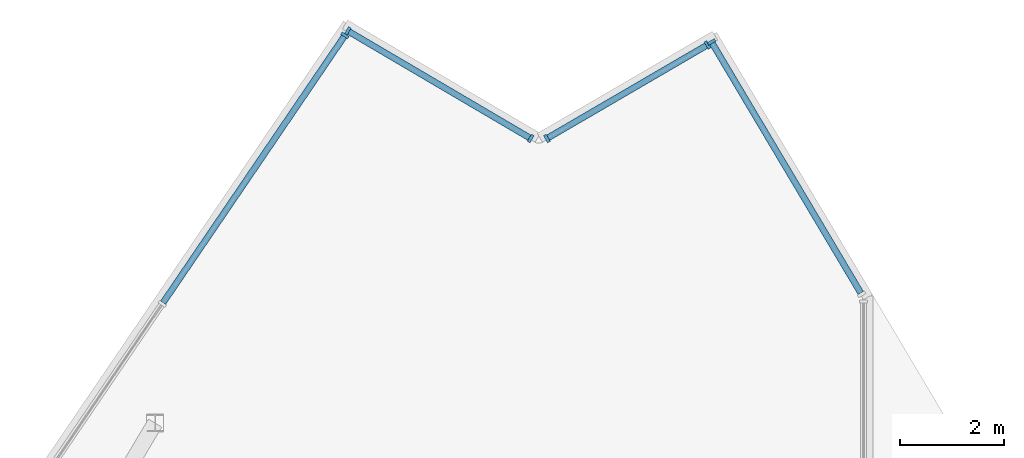
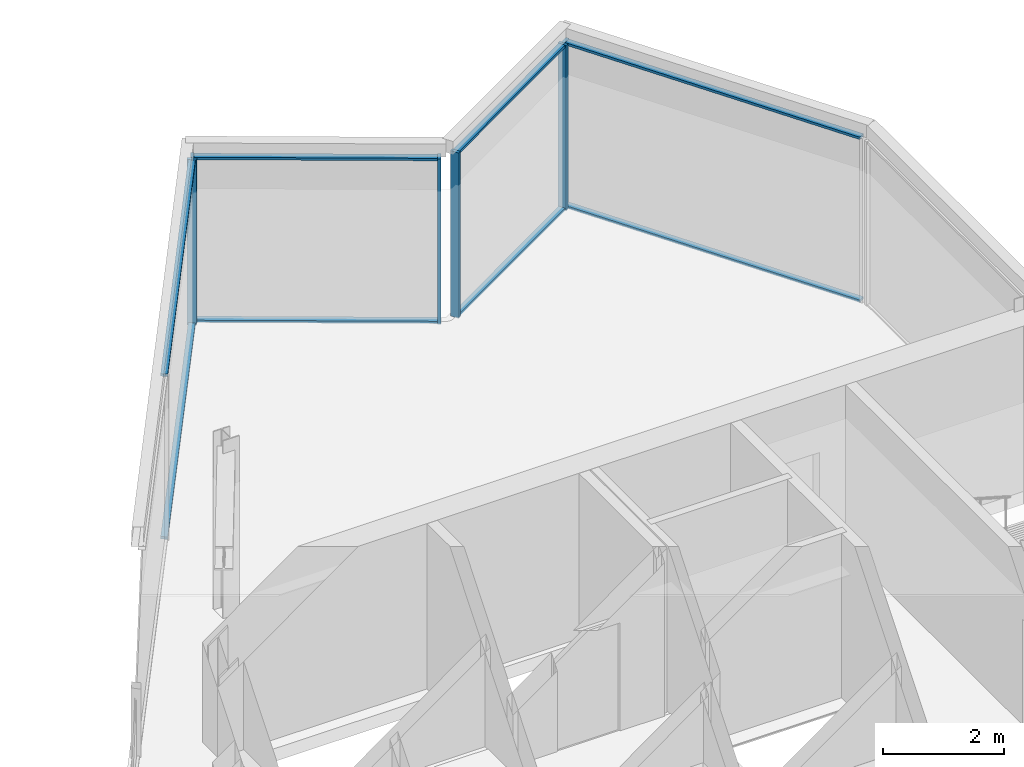
# One storey, part 7 of 15: 14 members, 4 elements without a shape of their own.
"""IFC4 building model written with IfcOpenShell, lengths in metres."""

from ifc_helpers import new_model, si_unit, direction, frame, origin, origin_2d, place, context, subcontext, project, spatial, rectangle, extrude, material, material_profile, profile_set, type_object, element, aggregate, save


model = new_model("IFC4")

# Units and contexts
model_context = context("Model", 3, precision=1e-05, world=origin(), true_north=direction((0.0, 1.0)))
body_context = subcontext(model_context, "Body", "Model", "MODEL_VIEW")
ifc_project = project(units=[si_unit("LENGTHUNIT", "METRE"), si_unit("AREAUNIT", "SQUARE_METRE"), si_unit("VOLUMEUNIT", "CUBIC_METRE"), si_unit("PLANEANGLEUNIT", "RADIAN"), si_unit("MASSUNIT", "GRAM", prefix="KILO")], contexts=[model_context])

# Site, building, storey
site_placement = place(None, origin())
site = spatial("IfcSite", under=ifc_project, at=site_placement, CompositionType="ELEMENT")
building_placement = place(site_placement, origin())
building = spatial("IfcBuilding", under=site, at=building_placement, Name="Savorim Split Tower", CompositionType="ELEMENT")
storey_placement = place(building_placement, frame((0.0, 0.0, 297.60009765625)))
storey = spatial("IfcBuildingStorey", under=building, at=storey_placement, Name="Crown L79 Plant", CompositionType="ELEMENT", Elevation=297.60009765625)

# Curtain wall, member
ifc_material_1 = material(Name="Dark Ceramic-Fritted Insulated Glass", Category="glass")
curtain_wall_type = type_object("IfcCurtainWallType", Name="CW-CROWN-CREST", PredefinedType="NOTDEFINED", material=ifc_material_1)
curtain_wall_1_placement = place(storey_placement, origin())
curtain_wall_1 = element("IfcCurtainWall", 1, at=curtain_wall_1_placement, inside=storey, type_object=curtain_wall_type, Name="Crown L79 Plant Curtain Wall CW-Crown-L79-Plant-W2A", PredefinedType="NOTDEFINED")
ifc_material_2 = material(Name="Charcoal Anodised Aluminium", Category="aluminium")
ifc_material_profile_1 = material_profile(ifc_material_2, rectangle(XDim=0.159912109375, YDim=0.06005859375, at=origin_2d()), Name="ALU-M 160x60")
ifc_profile_set_1 = profile_set([ifc_material_profile_1], Name="Charcoal Anodised Aluminium")
member_type_1 = type_object("IfcMemberType", Name="CWM-160x60", PredefinedType="MULLION", material=ifc_profile_set_1)
member_1_placement = place(storey_placement, frame((5.002685546875, 20.88037109375, 0.0), z_axis=(0.0, 0.0, 1.0), x_axis=(-0.85952112644, -0.511100218355, 0.0)))
member_1 = element("IfcMember", 2, at=member_1_placement, type_object=member_type_1, Name="CW-07 mullion 2", PredefinedType="MULLION", context=body_context, shape_type="SweptSolid", body=[
    extrude(rectangle(XDim=0.159912109375, YDim=0.06005859375, at=origin_2d()), origin(), (0.0, 0.0, 1.0), 3.33984375),
])

# Curtain wall, members
curtain_wall_2_placement = place(storey_placement, origin())
curtain_wall_2 = element("IfcCurtainWall", 3, at=curtain_wall_2_placement, inside=storey, type_object=curtain_wall_type, Name="Crown L79 Plant Curtain Wall CW-Crown-L79-Plant-W3A", PredefinedType="NOTDEFINED")
member_2_placement = place(storey_placement, frame((4.92431640625, 20.82421875, 0.0), z_axis=(0.0, 0.0, 1.0), x_axis=(0.503517263387, -0.863985165076, 0.0)))
member_2 = element("IfcMember", 4, at=member_2_placement, type_object=member_type_1, Name="CW-07 mullion 1", PredefinedType="MULLION", context=body_context, shape_type="SweptSolid", body=[
    extrude(rectangle(XDim=0.159912109375, YDim=0.06005859375, at=origin_2d()), origin(), (0.0, 0.0, 1.0), 3.33984375),
])
member_3_placement = place(storey_placement, frame((1.83251953125, 19.022216796875, 0.0), z_axis=(0.0, 0.0, 1.0), x_axis=(0.503517263387, -0.863985165076, 0.0)))
member_3 = element("IfcMember", 5, at=member_3_placement, type_object=member_type_1, Name="CW-07 mullion 2", PredefinedType="MULLION", context=body_context, shape_type="SweptSolid", body=[
    extrude(rectangle(XDim=0.159912109375, YDim=0.06005859375, at=origin_2d()), origin(), (0.0, 0.0, 1.0), 3.33984375),
])

curtain_wall_3_placement = place(storey_placement, origin())
curtain_wall_3 = element("IfcCurtainWall", 6, at=curtain_wall_3_placement, inside=storey, type_object=curtain_wall_type, Name="Crown L79 Plant Curtain Wall CW-Crown-L79-Plant-W4A", PredefinedType="NOTDEFINED")
member_4_placement = place(storey_placement, frame((1.521240234375, 19.02294921875, 0.0), z_axis=(0.0, 0.0, 1.0), x_axis=(-0.506694311795, -0.862125788035, 0.0)))
member_4 = element("IfcMember", 7, at=member_4_placement, type_object=member_type_1, Name="CW-07 mullion 1", PredefinedType="MULLION", context=body_context, shape_type="SweptSolid", body=[
    extrude(rectangle(XDim=0.159912109375, YDim=0.06005859375, at=origin_2d()), origin(), (0.0, 0.0, 1.0), 3.33984375),
])
member_5_placement = place(storey_placement, frame((-2.00048828125, 21.0927734375, 0.0), z_axis=(0.0, 0.0, 1.0), x_axis=(-0.506694311795, -0.862125788035, 0.0)))
member_5 = element("IfcMember", 8, at=member_5_placement, type_object=member_type_1, Name="CW-07 mullion 2", PredefinedType="MULLION", context=body_context, shape_type="SweptSolid", body=[
    extrude(rectangle(XDim=0.159912109375, YDim=0.06005859375, at=origin_2d()), origin(), (0.0, 0.0, 1.0), 3.33984375),
])

# Curtain wall, member
curtain_wall_4_placement = place(storey_placement, origin())
curtain_wall_4 = element("IfcCurtainWall", 9, at=curtain_wall_4_placement, inside=storey, type_object=curtain_wall_type, Name="Crown L79 Plant Curtain Wall CW-Crown-L79-Plant-W5A", PredefinedType="NOTDEFINED")
member_6_placement = place(storey_placement, frame((-2.056396484375, 21.0068359375, 0.0), z_axis=(0.0, 0.0, 1.0), x_axis=(0.82682067148, -0.56246562314, 0.0)))
member_6 = element("IfcMember", 10, at=member_6_placement, type_object=member_type_1, Name="CW-07 mullion 1", PredefinedType="MULLION", context=body_context, shape_type="SweptSolid", body=[
    extrude(rectangle(XDim=0.159912109375, YDim=0.06005859375, at=origin_2d()), origin(), (0.0, 0.0, 1.0), 3.33984375),
])

# Member
ifc_material_profile_2 = material_profile(ifc_material_2, rectangle(XDim=0.1201171875, YDim=0.050048828125, at=origin_2d()), Name="ALU-T 120x50")
ifc_profile_set_2 = profile_set([ifc_material_profile_2], Name="Charcoal Anodised Aluminium")
member_type_2 = type_object("IfcMemberType", Name="CWT-120x50", PredefinedType="USERDEFINED", material=ifc_profile_set_2)
member_7_placement = place(storey_placement, frame((7.875244140625, 16.04931640625, 0.02490234375), z_axis=(-0.511081496903, 0.85953225857, 0.0), x_axis=(-0.85953225857, -0.511081496903, 0.0)))
member_7 = element("IfcMember", 11, at=member_7_placement, type_object=member_type_2, Name="CW-07 transom 1.1", ObjectType="TRANSOM", PredefinedType="USERDEFINED", context=body_context, shape_type="SweptSolid", body=[
    extrude(rectangle(XDim=0.1201171875, YDim=0.050048828125, at=origin_2d()), origin(), (0.0, 0.0, 1.0), 5.590576171875),
])

member_8_placement = place(storey_placement, frame((7.875244140625, 16.04931640625, 3.31494140625), z_axis=(-0.511081496903, 0.85953225857, 0.0), x_axis=(-0.85953225857, -0.511081496903, 0.0)))
member_8 = element("IfcMember", 12, at=member_8_placement, type_object=member_type_2, Name="CW-07 transom 1.2", ObjectType="TRANSOM", PredefinedType="USERDEFINED", context=body_context, shape_type="SweptSolid", body=[
    extrude(rectangle(XDim=0.1201171875, YDim=0.050048828125, at=origin_2d()), origin(), (0.0, 0.0, 1.0), 5.590576171875),
])

aggregate(curtain_wall_1, [member_1, member_7, member_8])

member_9_placement = place(storey_placement, frame((4.8984375, 20.80908203125, 0.02490234375), z_axis=(-0.863980155868, -0.503525858588, 0.0), x_axis=(0.503525858588, -0.863980155868, 0.0)))
member_9 = element("IfcMember", 13, at=member_9_placement, type_object=member_type_2, Name="CW-07 transom 1.1", ObjectType="TRANSOM", PredefinedType="USERDEFINED", context=body_context, shape_type="SweptSolid", body=[
    extrude(rectangle(XDim=0.1201171875, YDim=0.050048828125, at=origin_2d()), origin(), (0.0, 0.0, 1.0), 3.5185546875),
])

member_10_placement = place(storey_placement, frame((4.8984375, 20.80908203125, 3.31494140625), z_axis=(-0.863980155868, -0.503525858588, 0.0), x_axis=(0.503525858588, -0.863980155868, 0.0)))
member_10 = element("IfcMember", 14, at=member_10_placement, type_object=member_type_2, Name="CW-07 transom 1.2", ObjectType="TRANSOM", PredefinedType="USERDEFINED", context=body_context, shape_type="SweptSolid", body=[
    extrude(rectangle(XDim=0.1201171875, YDim=0.050048828125, at=origin_2d()), origin(), (0.0, 0.0, 1.0), 3.5185546875),
])

aggregate(curtain_wall_2, [member_2, member_3, member_9, member_10])

member_11_placement = place(storey_placement, frame((1.495361328125, 19.0380859375, 0.02490234375), z_axis=(-0.862108804438, 0.506723207787, 0.0), x_axis=(-0.506723207787, -0.862108804438, 0.0)))
member_11 = element("IfcMember", 15, at=member_11_placement, type_object=member_type_2, Name="CW-07 transom 1.1", ObjectType="TRANSOM", PredefinedType="USERDEFINED", context=body_context, shape_type="SweptSolid", body=[
    extrude(rectangle(XDim=0.1201171875, YDim=0.050048828125, at=origin_2d()), origin(), (0.0, 0.0, 1.0), 4.02490234375),
])

member_12_placement = place(storey_placement, frame((1.495361328125, 19.0380859375, 3.31494140625), z_axis=(-0.862108804438, 0.506723207787, 0.0), x_axis=(-0.506723207787, -0.862108804438, 0.0)))
member_12 = element("IfcMember", 16, at=member_12_placement, type_object=member_type_2, Name="CW-07 transom 1.2", ObjectType="TRANSOM", PredefinedType="USERDEFINED", context=body_context, shape_type="SweptSolid", body=[
    extrude(rectangle(XDim=0.1201171875, YDim=0.050048828125, at=origin_2d()), origin(), (0.0, 0.0, 1.0), 4.02490234375),
])

aggregate(curtain_wall_3, [member_4, member_5, member_11, member_12])

member_13_placement = place(storey_placement, frame((-2.0732421875, 20.98193359375, 0.02490234375), z_axis=(-0.562475045803, -0.826814261397, 0.0), x_axis=(0.826814261397, -0.562475045803, 0.0)))
member_13 = element("IfcMember", 17, at=member_13_placement, type_object=member_type_2, Name="CW-07 transom 1.1", ObjectType="TRANSOM", PredefinedType="USERDEFINED", context=body_context, shape_type="SweptSolid", body=[
    extrude(rectangle(XDim=0.1201171875, YDim=0.050048828125, at=origin_2d()), origin(), (0.0, 0.0, 1.0), 6.19091796875),
])

member_14_placement = place(storey_placement, frame((-2.0732421875, 20.98193359375, 3.31494140625), z_axis=(-0.562475045803, -0.826814261397, 0.0), x_axis=(0.826814261397, -0.562475045803, 0.0)))
member_14 = element("IfcMember", 18, at=member_14_placement, type_object=member_type_2, Name="CW-07 transom 1.2", ObjectType="TRANSOM", PredefinedType="USERDEFINED", context=body_context, shape_type="SweptSolid", body=[
    extrude(rectangle(XDim=0.1201171875, YDim=0.050048828125, at=origin_2d()), origin(), (0.0, 0.0, 1.0), 6.19091796875),
])

aggregate(curtain_wall_4, [member_6, member_13, member_14])

save(model, "model.ifc")
